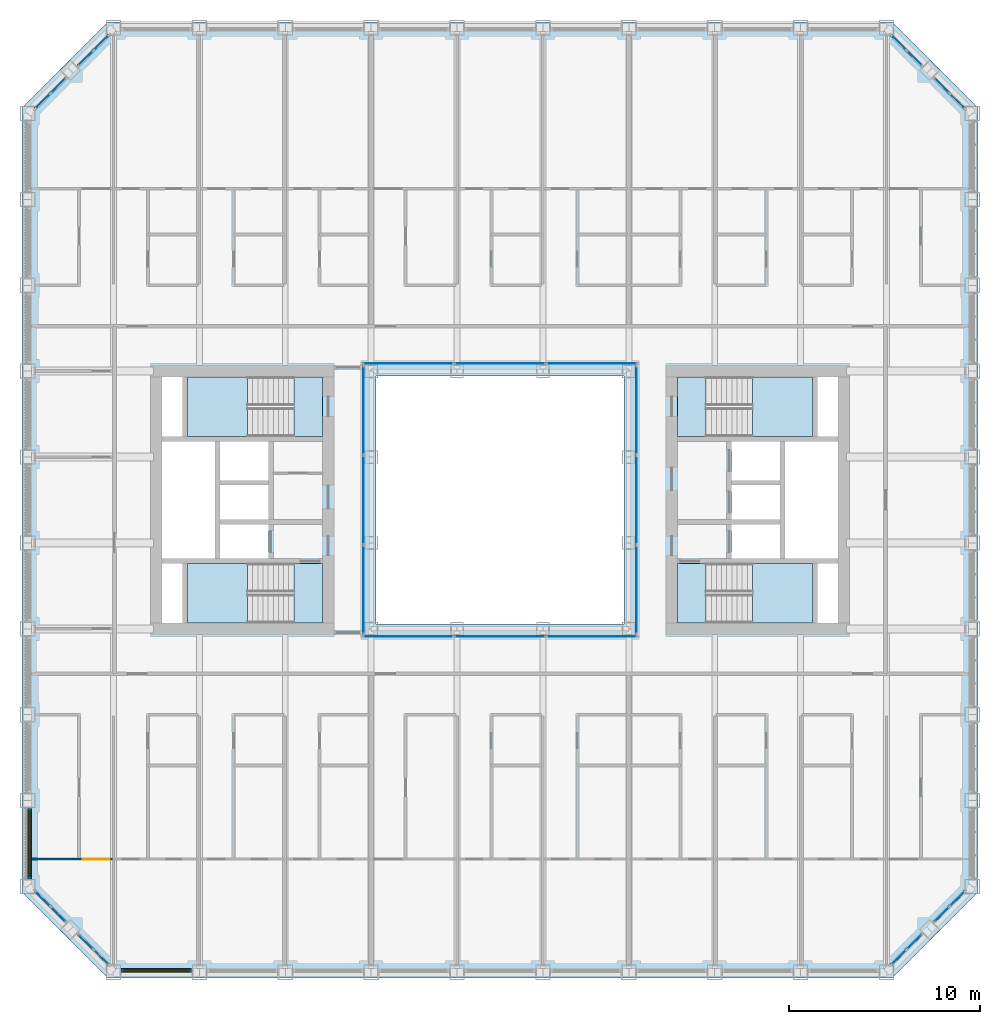
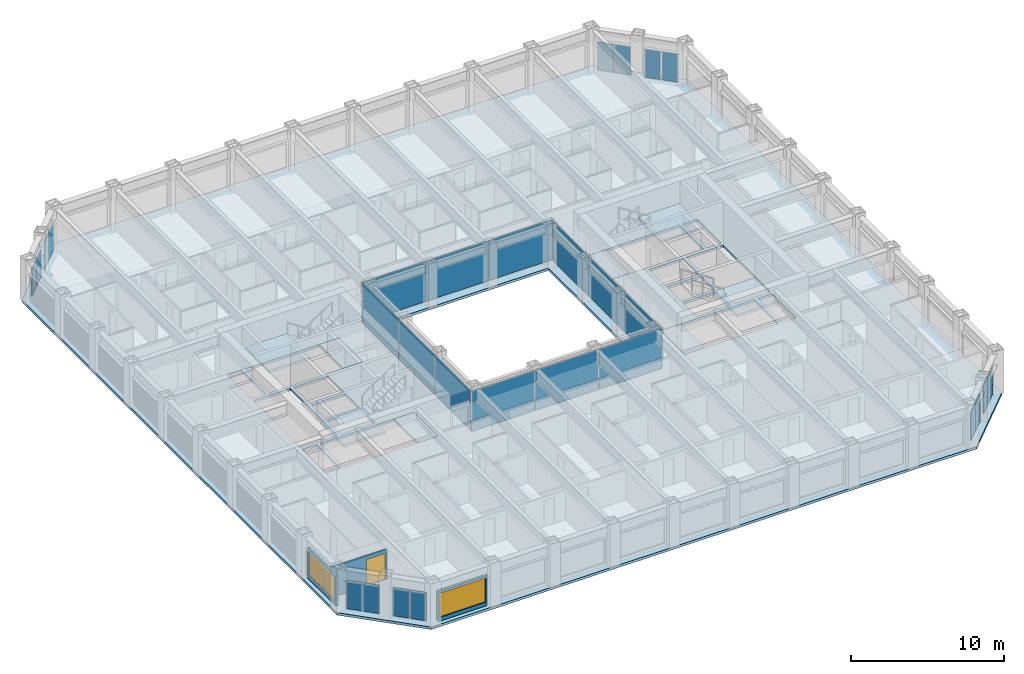
# One storey, part 8 of 21: 28 plates, 9 slabs, 3 walls, 2 windows, 1 door, 3 openings, 16 elements without a shape of their own.
"""IFC4 building model written with IfcOpenShell, lengths in metres."""

from ifc_helpers import new_model, si_unit, direction, frame, frame_2d, origin, origin_2d, place, context, subcontext, project, spatial, polyline, rectangle, outline, extrude, material, layer, layer_set, type_object, element, fill, aggregate, save


model = new_model("IFC4")

# Units and contexts
model_context = context("Model", 3, precision=1e-05, world=origin(), true_north=direction((0.0, 1.0)))
body_context = subcontext(model_context, "Body", "Model", "MODEL_VIEW")
ifc_project = project(units=[si_unit("LENGTHUNIT", "METRE"), si_unit("AREAUNIT", "SQUARE_METRE"), si_unit("VOLUMEUNIT", "CUBIC_METRE"), si_unit("PLANEANGLEUNIT", "RADIAN"), si_unit("MASSUNIT", "GRAM", prefix="KILO")], contexts=[model_context])

# Site, building, storey
site_placement = place(None, origin())
site = spatial("IfcSite", under=ifc_project, at=site_placement, CompositionType="ELEMENT")
building_placement = place(site_placement, origin())
building = spatial("IfcBuilding", under=site, at=building_placement, Name="Msasa Ring Tower", CompositionType="ELEMENT")
storey_placement = place(building_placement, frame((0.0, 0.0, 89.5)))
storey = spatial("IfcBuildingStorey", under=building, at=storey_placement, Name="L23", CompositionType="ELEMENT", Elevation=89.5)

# Curtain wall, plates
ifc_material_1 = material(Name="Aluminium curtain wall with clear glass", Category="aluminium")
curtain_wall_type_1 = type_object("IfcCurtainWallType", Name="CW-C CHAMFER CORNER CURTAIN WALL", PredefinedType="NOTDEFINED", material=ifc_material_1)
curtain_wall_1_placement = place(storey_placement, origin())
curtain_wall_1 = element("IfcCurtainWall", 1, at=curtain_wall_1_placement, inside=storey, type_object=curtain_wall_type_1, Name="Chamfer corner curtain wall SE L23", PredefinedType="NOTDEFINED")
ifc_material_2 = material(Name="Clear laminated insulating glass unit", Category="glass")
ifc_layer_1 = layer(ifc_material_2, 0.031982421875)
ifc_layer_set_1 = layer_set([ifc_layer_1], Name="CW-C GLASS PANEL 32")
plate_type_1 = type_object("IfcPlateType", Name="CW-C GLASS PANEL 32", PredefinedType="CURTAIN_PANEL", material=ifc_layer_set_1)
plate_1_placement = place(storey_placement, frame((20.896484375, -23.962158203125, 0.06494140625), z_axis=(0.0, 0.0, 1.0), x_axis=(0.707106781187, 0.707106781187, 0.0)))
plate_1 = element("IfcPlate", 2, at=plate_1_placement, type_object=plate_type_1, Name="CW-C panel 1.1", PredefinedType="CURTAIN_PANEL", context=body_context, shape_type="SweptSolid", body=[
    extrude(rectangle(XDim=1.08837890625, YDim=0.031982421875, at=origin_2d()), origin(), (0.0, 0.0, 1.0), 2.2490234375),
])
plate_2_placement = place(storey_placement, frame((21.712158203125, -23.146484375, 0.06494140625), z_axis=(0.0, 0.0, 1.0), x_axis=(0.707106781187, 0.707106781187, 0.0)))
plate_2 = element("IfcPlate", 3, at=plate_2_placement, type_object=plate_type_1, Name="CW-C panel 2.1", PredefinedType="CURTAIN_PANEL", context=body_context, shape_type="SweptSolid", body=[
    extrude(rectangle(XDim=1.08837890625, YDim=0.031982421875, at=origin_2d()), origin(), (0.0, 0.0, 1.0), 2.2490234375),
])
aggregate(curtain_wall_1, [plate_1, plate_2])

curtain_wall_2_placement = place(storey_placement, origin())
curtain_wall_2 = element("IfcCurtainWall", 4, at=curtain_wall_2_placement, inside=storey, type_object=curtain_wall_type_1, Name="Chamfer corner curtain wall SE L23", PredefinedType="NOTDEFINED")
plate_3_placement = place(storey_placement, frame((23.146484375, -21.712158203125, 0.06494140625), z_axis=(0.0, 0.0, 1.0), x_axis=(0.707106781187, 0.707106781187, 0.0)))
plate_3 = element("IfcPlate", 5, at=plate_3_placement, type_object=plate_type_1, Name="CW-C panel 1.1", PredefinedType="CURTAIN_PANEL", context=body_context, shape_type="SweptSolid", body=[
    extrude(rectangle(XDim=1.08837890625, YDim=0.031982421875, at=origin_2d()), origin(), (0.0, 0.0, 1.0), 2.2490234375),
])
plate_4_placement = place(storey_placement, frame((23.962158203125, -20.896484375, 0.06494140625), z_axis=(0.0, 0.0, 1.0), x_axis=(0.707106781187, 0.707106781187, 0.0)))
plate_4 = element("IfcPlate", 6, at=plate_4_placement, type_object=plate_type_1, Name="CW-C panel 2.1", PredefinedType="CURTAIN_PANEL", context=body_context, shape_type="SweptSolid", body=[
    extrude(rectangle(XDim=1.08837890625, YDim=0.031982421875, at=origin_2d()), origin(), (0.0, 0.0, 1.0), 2.2490234375),
])
aggregate(curtain_wall_2, [plate_3, plate_4])

curtain_wall_3_placement = place(storey_placement, origin())
curtain_wall_3 = element("IfcCurtainWall", 7, at=curtain_wall_3_placement, inside=storey, type_object=curtain_wall_type_1, Name="Chamfer corner curtain wall NE L23", PredefinedType="NOTDEFINED")
plate_5_placement = place(storey_placement, frame((21.712158203125, 23.146484375, 0.06494140625), z_axis=(0.0, 0.0, 1.0), x_axis=(-0.707106781187, 0.707106781187, 0.0)))
plate_5 = element("IfcPlate", 8, at=plate_5_placement, type_object=plate_type_1, Name="CW-C panel 1.1", PredefinedType="CURTAIN_PANEL", context=body_context, shape_type="SweptSolid", body=[
    extrude(rectangle(XDim=1.08837890625, YDim=0.031982421875, at=origin_2d()), origin(), (0.0, 0.0, 1.0), 2.2490234375),
])
plate_6_placement = place(storey_placement, frame((20.896484375, 23.962158203125, 0.06494140625), z_axis=(0.0, 0.0, 1.0), x_axis=(-0.707106781187, 0.707106781187, 0.0)))
plate_6 = element("IfcPlate", 9, at=plate_6_placement, type_object=plate_type_1, Name="CW-C panel 2.1", PredefinedType="CURTAIN_PANEL", context=body_context, shape_type="SweptSolid", body=[
    extrude(rectangle(XDim=1.08837890625, YDim=0.031982421875, at=origin_2d()), origin(), (0.0, 0.0, 1.0), 2.2490234375),
])
aggregate(curtain_wall_3, [plate_5, plate_6])

curtain_wall_4_placement = place(storey_placement, origin())
curtain_wall_4 = element("IfcCurtainWall", 10, at=curtain_wall_4_placement, inside=storey, type_object=curtain_wall_type_1, Name="Chamfer corner curtain wall NE L23", PredefinedType="NOTDEFINED")
plate_7_placement = place(storey_placement, frame((23.962158203125, 20.896484375, 0.06494140625), z_axis=(0.0, 0.0, 1.0), x_axis=(-0.707106781187, 0.707106781187, 0.0)))
plate_7 = element("IfcPlate", 11, at=plate_7_placement, type_object=plate_type_1, Name="CW-C panel 1.1", PredefinedType="CURTAIN_PANEL", context=body_context, shape_type="SweptSolid", body=[
    extrude(rectangle(XDim=1.08837890625, YDim=0.031982421875, at=origin_2d()), origin(), (0.0, 0.0, 1.0), 2.2490234375),
])
plate_8_placement = place(storey_placement, frame((23.146484375, 21.712158203125, 0.06494140625), z_axis=(0.0, 0.0, 1.0), x_axis=(-0.707106781187, 0.707106781187, 0.0)))
plate_8 = element("IfcPlate", 12, at=plate_8_placement, type_object=plate_type_1, Name="CW-C panel 2.1", PredefinedType="CURTAIN_PANEL", context=body_context, shape_type="SweptSolid", body=[
    extrude(rectangle(XDim=1.08837890625, YDim=0.031982421875, at=origin_2d()), origin(), (0.0, 0.0, 1.0), 2.2490234375),
])
aggregate(curtain_wall_4, [plate_7, plate_8])

curtain_wall_5_placement = place(storey_placement, origin())
curtain_wall_5 = element("IfcCurtainWall", 13, at=curtain_wall_5_placement, inside=storey, type_object=curtain_wall_type_1, Name="Chamfer corner curtain wall NW L23", PredefinedType="NOTDEFINED")
plate_9_placement = place(storey_placement, frame((-23.146484375, 21.712158203125, 0.06494140625), z_axis=(0.0, 0.0, 1.0), x_axis=(-0.707106781187, -0.707106781187, 0.0)))
plate_9 = element("IfcPlate", 14, at=plate_9_placement, type_object=plate_type_1, Name="CW-C panel 1.1", PredefinedType="CURTAIN_PANEL", context=body_context, shape_type="SweptSolid", body=[
    extrude(rectangle(XDim=1.08837890625, YDim=0.031982421875, at=origin_2d()), origin(), (0.0, 0.0, 1.0), 2.2490234375),
])
plate_10_placement = place(storey_placement, frame((-23.962158203125, 20.896484375, 0.06494140625), z_axis=(0.0, 0.0, 1.0), x_axis=(-0.707106781187, -0.707106781187, 0.0)))
plate_10 = element("IfcPlate", 15, at=plate_10_placement, type_object=plate_type_1, Name="CW-C panel 2.1", PredefinedType="CURTAIN_PANEL", context=body_context, shape_type="SweptSolid", body=[
    extrude(rectangle(XDim=1.08837890625, YDim=0.031982421875, at=origin_2d()), origin(), (0.0, 0.0, 1.0), 2.2490234375),
])
aggregate(curtain_wall_5, [plate_9, plate_10])

curtain_wall_6_placement = place(storey_placement, origin())
curtain_wall_6 = element("IfcCurtainWall", 16, at=curtain_wall_6_placement, inside=storey, type_object=curtain_wall_type_1, Name="Chamfer corner curtain wall NW L23", PredefinedType="NOTDEFINED")
plate_11_placement = place(storey_placement, frame((-20.896484375, 23.962158203125, 0.06494140625), z_axis=(0.0, 0.0, 1.0), x_axis=(-0.707106781187, -0.707106781187, 0.0)))
plate_11 = element("IfcPlate", 17, at=plate_11_placement, type_object=plate_type_1, Name="CW-C panel 1.1", PredefinedType="CURTAIN_PANEL", context=body_context, shape_type="SweptSolid", body=[
    extrude(rectangle(XDim=1.08837890625, YDim=0.031982421875, at=origin_2d()), origin(), (0.0, 0.0, 1.0), 2.2490234375),
])
plate_12_placement = place(storey_placement, frame((-21.712158203125, 23.146484375, 0.06494140625), z_axis=(0.0, 0.0, 1.0), x_axis=(-0.707106781187, -0.707106781187, 0.0)))
plate_12 = element("IfcPlate", 18, at=plate_12_placement, type_object=plate_type_1, Name="CW-C panel 2.1", PredefinedType="CURTAIN_PANEL", context=body_context, shape_type="SweptSolid", body=[
    extrude(rectangle(XDim=1.08837890625, YDim=0.031982421875, at=origin_2d()), origin(), (0.0, 0.0, 1.0), 2.2490234375),
])
aggregate(curtain_wall_6, [plate_11, plate_12])

curtain_wall_7_placement = place(storey_placement, origin())
curtain_wall_7 = element("IfcCurtainWall", 19, at=curtain_wall_7_placement, inside=storey, type_object=curtain_wall_type_1, Name="Chamfer corner curtain wall SW L23", PredefinedType="NOTDEFINED")
plate_13_placement = place(storey_placement, frame((-23.962158203125, -20.896484375, 0.06494140625), z_axis=(0.0, 0.0, 1.0), x_axis=(0.707106781187, -0.707106781187, 0.0)))
plate_13 = element("IfcPlate", 20, at=plate_13_placement, type_object=plate_type_1, Name="CW-C panel 1.1", PredefinedType="CURTAIN_PANEL", context=body_context, shape_type="SweptSolid", body=[
    extrude(rectangle(XDim=1.08837890625, YDim=0.031982421875, at=origin_2d()), origin(), (0.0, 0.0, 1.0), 2.2490234375),
])
plate_14_placement = place(storey_placement, frame((-23.146484375, -21.712158203125, 0.06494140625), z_axis=(0.0, 0.0, 1.0), x_axis=(0.707106781187, -0.707106781187, 0.0)))
plate_14 = element("IfcPlate", 21, at=plate_14_placement, type_object=plate_type_1, Name="CW-C panel 2.1", PredefinedType="CURTAIN_PANEL", context=body_context, shape_type="SweptSolid", body=[
    extrude(rectangle(XDim=1.08837890625, YDim=0.031982421875, at=origin_2d()), origin(), (0.0, 0.0, 1.0), 2.2490234375),
])
aggregate(curtain_wall_7, [plate_13, plate_14])

curtain_wall_8_placement = place(storey_placement, origin())
curtain_wall_8 = element("IfcCurtainWall", 22, at=curtain_wall_8_placement, inside=storey, type_object=curtain_wall_type_1, Name="Chamfer corner curtain wall SW L23", PredefinedType="NOTDEFINED")
plate_15_placement = place(storey_placement, frame((-21.712158203125, -23.146484375, 0.06494140625), z_axis=(0.0, 0.0, 1.0), x_axis=(0.707106781187, -0.707106781187, 0.0)))
plate_15 = element("IfcPlate", 23, at=plate_15_placement, type_object=plate_type_1, Name="CW-C panel 1.1", PredefinedType="CURTAIN_PANEL", context=body_context, shape_type="SweptSolid", body=[
    extrude(rectangle(XDim=1.08837890625, YDim=0.031982421875, at=origin_2d()), origin(), (0.0, 0.0, 1.0), 2.2490234375),
])
plate_16_placement = place(storey_placement, frame((-20.896484375, -23.962158203125, 0.06494140625), z_axis=(0.0, 0.0, 1.0), x_axis=(0.707106781187, -0.707106781187, 0.0)))
plate_16 = element("IfcPlate", 24, at=plate_16_placement, type_object=plate_type_1, Name="CW-C panel 2.1", PredefinedType="CURTAIN_PANEL", context=body_context, shape_type="SweptSolid", body=[
    extrude(rectangle(XDim=1.08837890625, YDim=0.031982421875, at=origin_2d()), origin(), (0.0, 0.0, 1.0), 2.2490234375),
])
aggregate(curtain_wall_8, [plate_15, plate_16])

ifc_material_3 = material(Name="Aluminium curtain wall with clear glass", Category="aluminium")
curtain_wall_type_2 = type_object("IfcCurtainWallType", Name="CW-W LIGHT WELL CURTAIN WALL", PredefinedType="NOTDEFINED", material=ifc_material_3)
curtain_wall_9_placement = place(storey_placement, origin())
curtain_wall_9 = element("IfcCurtainWall", 25, at=curtain_wall_9_placement, inside=storey, type_object=curtain_wall_type_2, Name="Light well curtain wall N L23", PredefinedType="NOTDEFINED")
ifc_material_4 = material(Name="Clear laminated insulating glass unit", Category="glass")
ifc_layer_2 = layer(ifc_material_4, 0.028076171875)
ifc_layer_set_2 = layer_set([ifc_layer_2], Name="CW-W GLASS PANEL 28")
plate_type_2 = type_object("IfcPlateType", Name="CW-W GLASS PANEL 28", PredefinedType="CURTAIN_PANEL", material=ifc_layer_set_2)
plate_17_placement = place(storey_placement, frame((-4.804931640625, 7.14990234375, 0.06005859375), z_axis=(0.0, 0.0, 1.0), x_axis=(1.0, 0.0, 0.0)))
plate_17 = element("IfcPlate", 26, at=plate_17_placement, type_object=plate_type_2, Name="CW-W panel 1.1", PredefinedType="CURTAIN_PANEL", context=body_context, shape_type="SweptSolid", body=[
    extrude(rectangle(XDim=4.72998046875, YDim=0.028076171875, at=origin_2d()), origin(), (0.0, 0.0, 1.0), 3.179931640625),
])
plate_18_placement = place(storey_placement, frame((0.0, 7.14990234375, 0.06005859375), z_axis=(0.0, 0.0, 1.0), x_axis=(1.0, 0.0, 0.0)))
plate_18 = element("IfcPlate", 27, at=plate_18_placement, type_object=plate_type_2, Name="CW-W panel 2.1", PredefinedType="CURTAIN_PANEL", context=body_context, shape_type="SweptSolid", body=[
    extrude(rectangle(XDim=4.760009765625, YDim=0.028076171875, at=origin_2d()), origin(), (0.0, 0.0, 1.0), 3.179931640625),
])
plate_19_placement = place(storey_placement, frame((4.804931640625, 7.14990234375, 0.06005859375), z_axis=(0.0, 0.0, 1.0), x_axis=(1.0, 0.0, 0.0)))
plate_19 = element("IfcPlate", 28, at=plate_19_placement, type_object=plate_type_2, Name="CW-W panel 3.1", PredefinedType="CURTAIN_PANEL", context=body_context, shape_type="SweptSolid", body=[
    extrude(rectangle(XDim=4.72998046875, YDim=0.028076171875, at=origin_2d()), origin(), (0.0, 0.0, 1.0), 3.179931640625),
])
aggregate(curtain_wall_9, [plate_17, plate_18, plate_19])

curtain_wall_10_placement = place(storey_placement, origin())
curtain_wall_10 = element("IfcCurtainWall", 29, at=curtain_wall_10_placement, inside=storey, type_object=curtain_wall_type_2, Name="Light well curtain wall S L23", PredefinedType="NOTDEFINED")
plate_20_placement = place(storey_placement, frame((-4.804931640625, -7.14990234375, 0.06005859375), z_axis=(0.0, 0.0, 1.0), x_axis=(1.0, 0.0, 0.0)))
plate_20 = element("IfcPlate", 30, at=plate_20_placement, type_object=plate_type_2, Name="CW-W panel 1.1", PredefinedType="CURTAIN_PANEL", context=body_context, shape_type="SweptSolid", body=[
    extrude(rectangle(XDim=4.72998046875, YDim=0.028076171875, at=origin_2d()), origin(), (0.0, 0.0, 1.0), 3.179931640625),
])
plate_21_placement = place(storey_placement, frame((0.0, -7.14990234375, 0.06005859375), z_axis=(0.0, 0.0, 1.0), x_axis=(1.0, 0.0, 0.0)))
plate_21 = element("IfcPlate", 31, at=plate_21_placement, type_object=plate_type_2, Name="CW-W panel 2.1", PredefinedType="CURTAIN_PANEL", context=body_context, shape_type="SweptSolid", body=[
    extrude(rectangle(XDim=4.760009765625, YDim=0.028076171875, at=origin_2d()), origin(), (0.0, 0.0, 1.0), 3.179931640625),
])
plate_22_placement = place(storey_placement, frame((4.804931640625, -7.14990234375, 0.06005859375), z_axis=(0.0, 0.0, 1.0), x_axis=(1.0, 0.0, 0.0)))
plate_22 = element("IfcPlate", 32, at=plate_22_placement, type_object=plate_type_2, Name="CW-W panel 3.1", PredefinedType="CURTAIN_PANEL", context=body_context, shape_type="SweptSolid", body=[
    extrude(rectangle(XDim=4.72998046875, YDim=0.028076171875, at=origin_2d()), origin(), (0.0, 0.0, 1.0), 3.179931640625),
])
aggregate(curtain_wall_10, [plate_20, plate_21, plate_22])

curtain_wall_11_placement = place(storey_placement, origin())
curtain_wall_11 = element("IfcCurtainWall", 33, at=curtain_wall_11_placement, inside=storey, type_object=curtain_wall_type_2, Name="Light well curtain wall E L23", PredefinedType="NOTDEFINED")
plate_23_placement = place(storey_placement, frame((7.14990234375, -4.6982421875, 0.06005859375), z_axis=(0.0, 0.0, 1.0), x_axis=(0.0, 1.0, 0.0)))
plate_23 = element("IfcPlate", 34, at=plate_23_placement, type_object=plate_type_2, Name="CW-W panel 1.1", PredefinedType="CURTAIN_PANEL", context=body_context, shape_type="SweptSolid", body=[
    extrude(rectangle(XDim=4.623291015625, YDim=0.028076171875, at=origin_2d()), origin(), (0.0, 0.0, 1.0), 3.179931640625),
])
plate_24_placement = place(storey_placement, frame((7.14990234375, 0.0, 0.06005859375), z_axis=(0.0, 0.0, 1.0), x_axis=(0.0, 1.0, 0.0)))
plate_24 = element("IfcPlate", 35, at=plate_24_placement, type_object=plate_type_2, Name="CW-W panel 2.1", PredefinedType="CURTAIN_PANEL", context=body_context, shape_type="SweptSolid", body=[
    extrude(rectangle(XDim=4.6533203125, YDim=0.028076171875, at=origin_2d()), origin(), (0.0, 0.0, 1.0), 3.179931640625),
])
plate_25_placement = place(storey_placement, frame((7.14990234375, 4.6982421875, 0.06005859375), z_axis=(0.0, 0.0, 1.0), x_axis=(0.0, 1.0, 0.0)))
plate_25 = element("IfcPlate", 36, at=plate_25_placement, type_object=plate_type_2, Name="CW-W panel 3.1", PredefinedType="CURTAIN_PANEL", context=body_context, shape_type="SweptSolid", body=[
    extrude(rectangle(XDim=4.623291015625, YDim=0.028076171875, at=origin_2d()), origin(), (0.0, 0.0, 1.0), 3.179931640625),
])
aggregate(curtain_wall_11, [plate_23, plate_24, plate_25])

curtain_wall_12_placement = place(storey_placement, origin())
curtain_wall_12 = element("IfcCurtainWall", 37, at=curtain_wall_12_placement, inside=storey, type_object=curtain_wall_type_2, Name="Light well curtain wall W L23", PredefinedType="NOTDEFINED")
plate_26_placement = place(storey_placement, frame((-7.14990234375, -4.6982421875, 0.06005859375), z_axis=(0.0, 0.0, 1.0), x_axis=(0.0, 1.0, 0.0)))
plate_26 = element("IfcPlate", 38, at=plate_26_placement, type_object=plate_type_2, Name="CW-W panel 1.1", PredefinedType="CURTAIN_PANEL", context=body_context, shape_type="SweptSolid", body=[
    extrude(rectangle(XDim=4.623291015625, YDim=0.028076171875, at=origin_2d()), origin(), (0.0, 0.0, 1.0), 3.179931640625),
])
plate_27_placement = place(storey_placement, frame((-7.14990234375, 0.0, 0.06005859375), z_axis=(0.0, 0.0, 1.0), x_axis=(0.0, 1.0, 0.0)))
plate_27 = element("IfcPlate", 39, at=plate_27_placement, type_object=plate_type_2, Name="CW-W panel 2.1", PredefinedType="CURTAIN_PANEL", context=body_context, shape_type="SweptSolid", body=[
    extrude(rectangle(XDim=4.6533203125, YDim=0.028076171875, at=origin_2d()), origin(), (0.0, 0.0, 1.0), 3.179931640625),
])
plate_28_placement = place(storey_placement, frame((-7.14990234375, 4.6982421875, 0.06005859375), z_axis=(0.0, 0.0, 1.0), x_axis=(0.0, 1.0, 0.0)))
plate_28 = element("IfcPlate", 40, at=plate_28_placement, type_object=plate_type_2, Name="CW-W panel 3.1", PredefinedType="CURTAIN_PANEL", context=body_context, shape_type="SweptSolid", body=[
    extrude(rectangle(XDim=4.623291015625, YDim=0.028076171875, at=origin_2d()), origin(), (0.0, 0.0, 1.0), 3.179931640625),
])
aggregate(curtain_wall_12, [plate_26, plate_27, plate_28])

# Stair, slabs
ifc_material_5 = material(Name="Concrete C40/50", Category="concrete")
stair_type = type_object("IfcStairType", Name="STC CORE STAIR 20 RISERS 175", PredefinedType="HALF_TURN_STAIR", material=ifc_material_5)
stair_1_placement = place(storey_placement, origin())
stair_1 = element("IfcStair", 41, at=stair_1_placement, inside=storey, type_object=stair_type, Name="Core stair SEA L23", PredefinedType="HALF_TURN_STAIR")
ifc_material_6 = material(Name="Concrete C40/50", Category="concrete")
ifc_layer_3 = layer(ifc_material_6, 0.199951171875)
ifc_layer_set_3 = layer_set([ifc_layer_3], Name="LD1 CORE STAIR LANDING 200")
slab_type_1 = type_object("IfcSlabType", Name="LD1 CORE STAIR LANDING 200", PredefinedType="LANDING", material=ifc_layer_set_3)
slab_1_placement = place(storey_placement, frame((0.0, 0.0, -0.199951171875)))
slab_1 = element("IfcSlab", 42, at=slab_1_placement, type_object=slab_type_1, Name="SEA landing 1", PredefinedType="LANDING", context=body_context, shape_type="SweptSolid", body=[
    extrude(outline(polyline([(9.300048828125, -6.449951171875), (10.800048828125, -6.449951171875), (10.800048828125, -3.324951171875), (9.300048828125, -3.324951171875), (9.300048828125, -6.449951171875)])), origin(), (0.0, 0.0, 1.0), 0.199951171875),
])
slab_2_placement = place(storey_placement, frame((0.0, 0.0, 1.550048828125)))
slab_2 = element("IfcSlab", 43, at=slab_2_placement, type_object=slab_type_1, Name="SEA landing 2", PredefinedType="LANDING", context=body_context, shape_type="SweptSolid", body=[
    extrude(outline(polyline([(13.22998046875, -6.449951171875), (16.375, -6.449951171875), (16.375, -3.324951171875), (13.22998046875, -3.324951171875), (13.22998046875, -6.449951171875)])), origin(), (0.0, 0.0, 1.0), 0.199951171875),
])
aggregate(stair_1, [slab_1, slab_2])

stair_2_placement = place(storey_placement, origin())
stair_2 = element("IfcStair", 44, at=stair_2_placement, inside=storey, type_object=stair_type, Name="Core stair SEB L23", PredefinedType="HALF_TURN_STAIR")
slab_3_placement = place(storey_placement, frame((0.0, 0.0, -0.199951171875)))
slab_3 = element("IfcSlab", 45, at=slab_3_placement, type_object=slab_type_1, Name="SEB landing 1", PredefinedType="LANDING", context=body_context, shape_type="SweptSolid", body=[
    extrude(outline(polyline([(9.300048828125, 3.324951171875), (10.800048828125, 3.324951171875), (10.800048828125, 6.449951171875), (9.300048828125, 6.449951171875), (9.300048828125, 3.324951171875)])), origin(), (0.0, 0.0, 1.0), 0.199951171875),
])
slab_4_placement = place(storey_placement, frame((0.0, 0.0, 1.550048828125)))
slab_4 = element("IfcSlab", 46, at=slab_4_placement, type_object=slab_type_1, Name="SEB landing 2", PredefinedType="LANDING", context=body_context, shape_type="SweptSolid", body=[
    extrude(outline(polyline([(13.22998046875, 3.324951171875), (16.375, 3.324951171875), (16.375, 6.449951171875), (13.22998046875, 6.449951171875), (13.22998046875, 3.324951171875)])), origin(), (0.0, 0.0, 1.0), 0.199951171875),
])
aggregate(stair_2, [slab_3, slab_4])

stair_3_placement = place(storey_placement, origin())
stair_3 = element("IfcStair", 47, at=stair_3_placement, inside=storey, type_object=stair_type, Name="Core stair SWA L23", PredefinedType="HALF_TURN_STAIR")
slab_5_placement = place(storey_placement, frame((0.0, 0.0, -0.199951171875)))
slab_5 = element("IfcSlab", 48, at=slab_5_placement, type_object=slab_type_1, Name="SWA landing 1", PredefinedType="LANDING", context=body_context, shape_type="SweptSolid", body=[
    extrude(outline(polyline([(-10.800048828125, -6.449951171875), (-9.300048828125, -6.449951171875), (-9.300048828125, -3.324951171875), (-10.800048828125, -3.324951171875), (-10.800048828125, -6.449951171875)])), origin(), (0.0, 0.0, 1.0), 0.199951171875),
])
slab_6_placement = place(storey_placement, frame((0.0, 0.0, 1.550048828125)))
slab_6 = element("IfcSlab", 49, at=slab_6_placement, type_object=slab_type_1, Name="SWA landing 2", PredefinedType="LANDING", context=body_context, shape_type="SweptSolid", body=[
    extrude(outline(polyline([(-16.375, -6.449951171875), (-13.22998046875, -6.449951171875), (-13.22998046875, -3.324951171875), (-16.375, -3.324951171875), (-16.375, -6.449951171875)])), origin(), (0.0, 0.0, 1.0), 0.199951171875),
])
aggregate(stair_3, [slab_5, slab_6])

stair_4_placement = place(storey_placement, origin())
stair_4 = element("IfcStair", 50, at=stair_4_placement, inside=storey, type_object=stair_type, Name="Core stair SWB L23", PredefinedType="HALF_TURN_STAIR")
slab_7_placement = place(storey_placement, frame((0.0, 0.0, -0.199951171875)))
slab_7 = element("IfcSlab", 51, at=slab_7_placement, type_object=slab_type_1, Name="SWB landing 1", PredefinedType="LANDING", context=body_context, shape_type="SweptSolid", body=[
    extrude(outline(polyline([(-10.800048828125, 3.324951171875), (-9.300048828125, 3.324951171875), (-9.300048828125, 6.449951171875), (-10.800048828125, 6.449951171875), (-10.800048828125, 3.324951171875)])), origin(), (0.0, 0.0, 1.0), 0.199951171875),
])
slab_8_placement = place(storey_placement, frame((0.0, 0.0, 1.550048828125)))
slab_8 = element("IfcSlab", 52, at=slab_8_placement, type_object=slab_type_1, Name="SWB landing 2", PredefinedType="LANDING", context=body_context, shape_type="SweptSolid", body=[
    extrude(outline(polyline([(-16.375, 3.324951171875), (-13.22998046875, 3.324951171875), (-13.22998046875, 6.449951171875), (-16.375, 6.449951171875), (-16.375, 3.324951171875)])), origin(), (0.0, 0.0, 1.0), 0.199951171875),
])
aggregate(stair_4, [slab_7, slab_8])

# Slab
ifc_material_7 = material(Name="Concrete C40/50", Category="concrete")
ifc_layer_4 = layer(ifc_material_7, 0.199951171875)
ifc_layer_set_4 = layer_set([ifc_layer_4], Name="S3 RESIDENCE FLOOR 200")
slab_type_2 = type_object("IfcSlabType", Name="S3 RESIDENCE FLOOR 200", PredefinedType="FLOOR", material=ifc_layer_set_4)
slab_9_placement = place(storey_placement, frame((0.0, 0.0, -0.199951171875)))
element("IfcSlab", 53, at=slab_9_placement, inside=storey, type_object=slab_type_2, Name="Floor slab L23", PredefinedType="FLOOR", context=body_context, shape_type="SweptSolid", body=[
    extrude(outline(polyline([(-20.550048828125, -25.050048828125), (20.550048828125, -25.050048828125), (25.050048828125, -20.550048828125), (25.050048828125, 20.550048828125), (20.550048828125, 25.050048828125), (-20.550048828125, 25.050048828125), (-25.050048828125, 20.550048828125), (-25.050048828125, -20.550048828125), (-20.550048828125, -25.050048828125)]), holes=[polyline([(-6.5, -6.5), (6.5, -6.5), (6.5, 6.5), (-6.5, 6.5), (-6.5, -6.5)]), polyline([(9.300048828125, -6.449951171875), (16.375, -6.449951171875), (16.375, -3.324951171875), (9.300048828125, -3.324951171875), (9.300048828125, -6.449951171875)]), polyline([(9.300048828125, 3.324951171875), (16.375, 3.324951171875), (16.375, 6.449951171875), (9.300048828125, 6.449951171875), (9.300048828125, 3.324951171875)]), polyline([(12.125, -3.074951171875), (14.675048828125, -3.074951171875), (14.675048828125, -1.27490234375), (12.125, -1.27490234375), (12.125, -3.074951171875)]), polyline([(12.125, -1.02490234375), (14.675048828125, -1.02490234375), (14.675048828125, 0.77490234375), (12.125, 0.77490234375), (12.125, -1.02490234375)]), polyline([(12.125, 1.02490234375), (14.675048828125, 1.02490234375), (14.675048828125, 3.074951171875), (12.125, 3.074951171875), (12.125, 1.02490234375)]), polyline([(16.625, -6.449951171875), (17.699951171875, -6.449951171875), (17.699951171875, -3.324951171875), (16.625, -3.324951171875), (16.625, -6.449951171875)]), polyline([(16.625, 3.324951171875), (17.699951171875, 3.324951171875), (17.699951171875, 6.449951171875), (16.625, 6.449951171875), (16.625, 3.324951171875)]), polyline([(14.925048828125, -3.074951171875), (17.699951171875, -3.074951171875), (17.699951171875, 3.074951171875), (14.925048828125, 3.074951171875), (14.925048828125, -3.074951171875)]), polyline([(-16.375, -6.449951171875), (-9.300048828125, -6.449951171875), (-9.300048828125, -3.324951171875), (-16.375, -3.324951171875), (-16.375, -6.449951171875)]), polyline([(-16.375, 3.324951171875), (-9.300048828125, 3.324951171875), (-9.300048828125, 6.449951171875), (-16.375, 6.449951171875), (-16.375, 3.324951171875)]), polyline([(-14.675048828125, -3.074951171875), (-12.125, -3.074951171875), (-12.125, -1.27490234375), (-14.675048828125, -1.27490234375), (-14.675048828125, -3.074951171875)]), polyline([(-14.675048828125, -1.02490234375), (-12.125, -1.02490234375), (-12.125, 0.77490234375), (-14.675048828125, 0.77490234375), (-14.675048828125, -1.02490234375)]), polyline([(-14.675048828125, 1.02490234375), (-12.125, 1.02490234375), (-12.125, 3.074951171875), (-14.675048828125, 3.074951171875), (-14.675048828125, 1.02490234375)]), polyline([(-17.699951171875, -6.449951171875), (-16.625, -6.449951171875), (-16.625, -3.324951171875), (-17.699951171875, -3.324951171875), (-17.699951171875, -6.449951171875)]), polyline([(-17.699951171875, 3.324951171875), (-16.625, 3.324951171875), (-16.625, 6.449951171875), (-17.699951171875, 6.449951171875), (-17.699951171875, 3.324951171875)]), polyline([(-17.699951171875, -3.074951171875), (-14.925048828125, -3.074951171875), (-14.925048828125, 3.074951171875), (-17.699951171875, 3.074951171875), (-17.699951171875, -3.074951171875)])]), origin(), (0.0, 0.0, 1.0), 0.199951171875),
])

# Wall, opening, window
ifc_material_8 = material(Name="Terracotta rainscreen on blockwork", Category="masonry")
ifc_layer_5 = layer(ifc_material_8, 0.199951171875)
ifc_layer_set_5 = layer_set([ifc_layer_5], Name="FW1 TERRACOTTA-LINED INFILL BAY WALL 200")
wall_type_1 = type_object("IfcWallType", Name="FW1 TERRACOTTA-LINED INFILL BAY WALL 200", PredefinedType="SOLIDWALL", material=ifc_layer_set_5)
wall_1_placement = place(storey_placement, frame((-19.844970703125, -24.64990234375, 0.0), z_axis=(0.0, 0.0, 1.0), x_axis=(1.0, 0.0, 0.0)))
wall_1 = element("IfcWall", 54, at=wall_1_placement, inside=storey, type_object=wall_type_1, Name="Infill bay wall S L23 00", PredefinedType="SOLIDWALL", context=body_context, shape_type="SweptSolid", body=[
    extrude(rectangle(XDim=3.68994140625, YDim=0.199951171875, at=frame_2d((1.844970703125, 0.0))), origin(), (0.0, 0.0, 1.0), 2.37890625),
])
opening_1_placement = place(wall_1_placement, frame((0.14501953125, 0.0, 0.300048828125)))
opening_1 = element("IfcOpeningElement", 55, at=opening_1_placement, cuts=wall_1, Name="Opening WN1", PredefinedType="OPENING", context=body_context, shape_type="SweptSolid", body=[
    extrude(rectangle(XDim=3.39990234375, YDim=1.928955078125, at=frame_2d((1.699951171875, 0.96435546875))), frame((0.0, 0.10986328125, 0.0), z_axis=(0.0, -1.0, 0.0), x_axis=(1.0, 0.0, 0.0)), (0.0, 0.0, 1.0), 0.219970703125),
])
ifc_material_9 = material(Name="Aluminium frame with clear glass", Category="aluminium")
window_type = type_object("IfcWindowType", Name="WN1 RESIDENCE WINDOW 3400x1929", PartitioningType="SINGLE_PANEL", PredefinedType="WINDOW", material=ifc_material_9)
window_1_placement = place(opening_1_placement, origin())
window_1 = element("IfcWindow", 56, at=window_1_placement, inside=storey, type_object=window_type, Name="Window S L23 00", OverallHeight=1.928955078125, OverallWidth=3.39990234375, PartitioningType="SINGLE_PANEL", PredefinedType="WINDOW", context=body_context, shape_type="SweptSolid", body=[
    extrude(rectangle(XDim=3.39990234375, YDim=1.928955078125, at=frame_2d((1.699951171875, 0.96435546875))), frame((0.0, 0.030029296875, 0.0), z_axis=(0.0, -1.0, 0.0), x_axis=(1.0, 0.0, 0.0)), (0.0, 0.0, 1.0), 0.06005859375),
])
fill(opening_1, window_1)

wall_2_placement = place(storey_placement, frame((-24.64990234375, -19.844970703125, 0.0), z_axis=(0.0, 0.0, 1.0), x_axis=(0.0, 1.0, 0.0)))
wall_2 = element("IfcWall", 57, at=wall_2_placement, inside=storey, type_object=wall_type_1, Name="Infill bay wall W L23 33", PredefinedType="SOLIDWALL", context=body_context, shape_type="SweptSolid", body=[
    extrude(rectangle(XDim=3.68994140625, YDim=0.199951171875, at=frame_2d((1.844970703125, 0.0))), origin(), (0.0, 0.0, 1.0), 2.37890625),
])
opening_2_placement = place(wall_2_placement, frame((0.14501953125, 0.0, 0.300048828125)))
opening_2 = element("IfcOpeningElement", 58, at=opening_2_placement, cuts=wall_2, Name="Opening WN1", PredefinedType="OPENING", context=body_context, shape_type="SweptSolid", body=[
    extrude(rectangle(XDim=3.39990234375, YDim=1.928955078125, at=frame_2d((1.699951171875, 0.96435546875))), frame((0.0, 0.10986328125, 0.0), z_axis=(0.0, -1.0, 0.0), x_axis=(1.0, 0.0, 0.0)), (0.0, 0.0, 1.0), 0.219970703125),
])
window_2_placement = place(opening_2_placement, origin())
window_2 = element("IfcWindow", 59, at=window_2_placement, inside=storey, type_object=window_type, Name="Window W L23 33", OverallHeight=1.928955078125, OverallWidth=3.39990234375, PartitioningType="SINGLE_PANEL", PredefinedType="WINDOW", context=body_context, shape_type="SweptSolid", body=[
    extrude(rectangle(XDim=3.39990234375, YDim=1.928955078125, at=frame_2d((1.699951171875, 0.96435546875))), frame((0.0, 0.030029296875, 0.0), z_axis=(0.0, -1.0, 0.0), x_axis=(1.0, 0.0, 0.0)), (0.0, 0.0, 1.0), 0.06005859375),
])
fill(opening_2, window_2)

# Wall, opening, door
ifc_material_10 = material(Name="Two layers of acoustic board each face on steel studs, mineral wool", Category="steel")
ifc_layer_6 = layer(ifc_material_10, 0.125)
ifc_layer_set_6 = layer_set([ifc_layer_6], Name="PT6 ACOUSTIC DOUBLE-BOARD PARTITION 125")
wall_type_2 = type_object("IfcWallType", Name="PT6 ACOUSTIC DOUBLE-BOARD PARTITION 125", PredefinedType="PARTITIONING", material=ifc_layer_set_6)
wall_3_placement = place(storey_placement, frame((-24.550048828125, -18.8125, 0.0), z_axis=(0.0, 0.0, 1.0), x_axis=(1.0, 0.0, 0.0)))
wall_3 = element("IfcWall", 60, at=wall_3_placement, inside=storey, type_object=wall_type_2, Name="Partition L23-US00SY0", PredefinedType="PARTITIONING", context=body_context, shape_type="SweptSolid", body=[
    extrude(rectangle(XDim=4.237548828125, YDim=0.125, at=frame_2d((2.11865234375, 0.0))), origin(), (0.0, 0.0, 1.0), 2.373291015625),
])
opening_3_placement = place(wall_3_placement, frame((2.699951171875, 0.0, 0.0)))
opening_3 = element("IfcOpeningElement", 61, at=opening_3_placement, cuts=wall_3, Name="Opening RG-064", PredefinedType="OPENING", context=body_context, shape_type="SweptSolid", body=[
    extrude(rectangle(XDim=1.39990234375, YDim=2.10009765625, at=frame_2d((0.699951171875, 1.050048828125))), frame((0.0, 0.072509765625, 0.0), z_axis=(0.0, -1.0, 0.0), x_axis=(1.0, 0.0, 0.0)), (0.0, 0.0, 1.0), 0.14501953125),
])
ifc_material_11 = material(Name="Timber door leaf in a steel frame", Category="steel")
door_type = type_object("IfcDoorType", Name="D15 LIVING ROOM PAIR OF GLAZED DOORS 1400x2100", OperationType="SINGLE_SWING_LEFT", PredefinedType="DOOR", material=ifc_material_11)
door_placement = place(opening_3_placement, origin())
door = element("IfcDoor", 62, at=door_placement, inside=storey, type_object=door_type, Name="Door L23-US00L", OperationType="SINGLE_SWING_RIGHT", OverallHeight=2.10009765625, OverallWidth=1.39990234375, PredefinedType="DOOR", context=body_context, shape_type="SweptSolid", body=[
    extrude(rectangle(XDim=1.39990234375, YDim=2.10009765625, at=frame_2d((0.699951171875, 1.050048828125))), frame((0.0, 0.02490234375, 0.0), z_axis=(0.0, -1.0, 0.0), x_axis=(1.0, 0.0, 0.0)), (0.0, 0.0, 1.0), 0.050048828125),
])
fill(opening_3, door)

save(model, "model.ifc")
